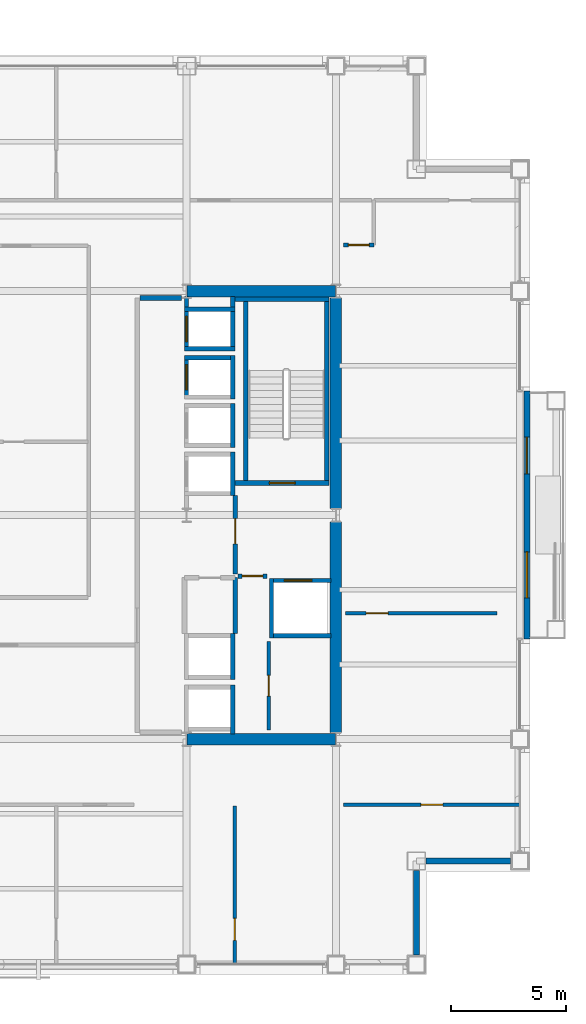
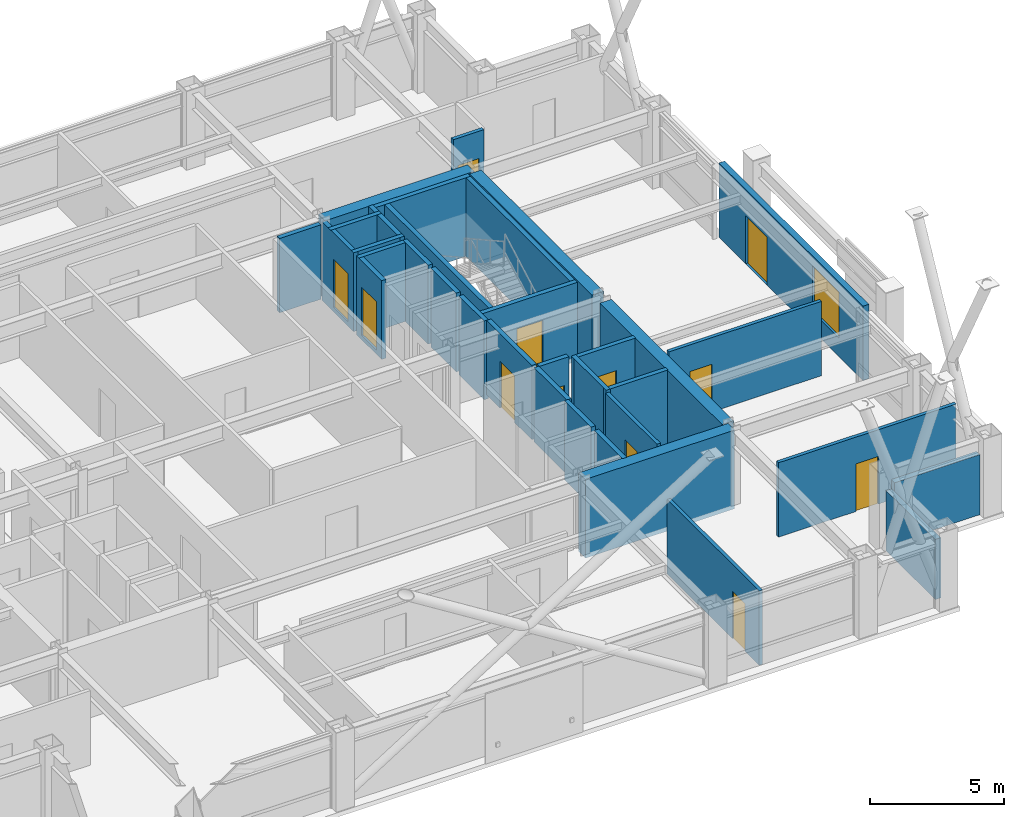
# One storey, part 29 of 33: 34 walls, 12 doors, 1 window, 13 openings.
"""IFC4 building model written with IfcOpenShell, lengths in metres."""

from ifc_helpers import new_model, si_unit, direction, frame, frame_2d, origin, place, context, subcontext, project, spatial, rectangle, extrude, material, layer, layer_set, type_object, element, fill, save


model = new_model("IFC4")

# Units and contexts
model_context = context("Model", 3, precision=1e-05, world=origin(), true_north=direction((0.0, 1.0)))
body_context = subcontext(model_context, "Body", "Model", "MODEL_VIEW")
ifc_project = project(units=[si_unit("LENGTHUNIT", "METRE"), si_unit("AREAUNIT", "SQUARE_METRE"), si_unit("VOLUMEUNIT", "CUBIC_METRE"), si_unit("PLANEANGLEUNIT", "RADIAN"), si_unit("MASSUNIT", "GRAM", prefix="KILO")], contexts=[model_context])

# Site, building, storey
site_placement = place(None, origin())
site = spatial("IfcSite", under=ifc_project, at=site_placement, CompositionType="ELEMENT")
building_placement = place(site_placement, origin())
building = spatial("IfcBuilding", under=site, at=building_placement, Name="Brelmoor Portico Tower", CompositionType="ELEMENT")
storey_placement = place(building_placement, frame((0.0, 0.0, 120.60009765625)))
storey = spatial("IfcBuildingStorey", under=building, at=storey_placement, Name="L31", CompositionType="ELEMENT", Elevation=120.60009765625)

# Walls
ifc_material_1 = material(Name="Concrete C60", Category="concrete")
ifc_layer_1 = layer(ifc_material_1, 0.5)
ifc_layer_set_1 = layer_set([ifc_layer_1], Name="Concrete C60")
wall_type_1 = type_object("IfcWallType", Name="WL-CORE-500", PredefinedType="SHEAR", material=ifc_layer_set_1)
for number, where, z_axis, x_axis, name in (
    (1, (8.070068359375, -9.75, -0.2001953125), (0.0, 0.0, 1.0), (1.0, 0.0, 0.0), "L31 EC South Shear Wall"),
    (2, (8.070068359375, 9.75, -0.2001953125), (0.0, 0.0, 1.0), (1.0, 0.0, 0.0), "L31 EC North Shear Wall"),
):
    element("IfcWall", number, at=place(storey_placement, frame(where, z_axis=z_axis, x_axis=x_axis)), inside=storey, type_object=wall_type_1, Name=name, PredefinedType="SHEAR", context=body_context, shape_type="SweptSolid", body=[
        extrude(rectangle(XDim=6.4599609375, YDim=0.5, at=frame_2d((3.22998046875, 0.0))), origin(), (0.0, 0.0, 1.0), 3.60009765625),
    ])
for number, where, z_axis, x_axis, name in (
    (3, (14.550048828125, -9.449951171875, -0.2001953125), (0.0, 0.0, 1.0), (0.0, 1.0, 0.0), "L31 EC Outer South Shear Wall"),
    (4, (14.550048828125, 0.300048828125, -0.2001953125), (0.0, 0.0, 1.0), (0.0, 1.0, 0.0), "L31 EC Outer North Shear Wall"),
):
    element("IfcWall", number, at=place(storey_placement, frame(where, z_axis=z_axis, x_axis=x_axis)), inside=storey, type_object=wall_type_1, Name=name, PredefinedType="SHEAR", context=body_context, shape_type="SweptSolid", body=[
        extrude(rectangle(XDim=9.14990234375, YDim=0.5, at=frame_2d((4.574951171875, 0.0))), origin(), (0.0, 0.0, 1.0), 3.60009765625),
    ])

# Wall, openings, door, window
ifc_material_2 = material(Name="Precast Concrete C40 Insulated Facade Wall", Category="concrete")
ifc_layer_2 = layer(ifc_material_2, 0.25)
ifc_layer_set_2 = layer_set([ifc_layer_2], Name="Precast Concrete C40 Insulated Facade Wall")
wall_type_2 = type_object("IfcWallType", Name="WL-EXT-250", PredefinedType="STANDARD", material=ifc_layer_set_2)
wall_1_placement = place(storey_placement, frame((22.860107421875, -5.39990234375, 0.0), z_axis=(0.0, 0.0, 1.0), x_axis=(0.0, 1.0, 0.0)))
wall_1 = element("IfcWall", 5, at=wall_1_placement, inside=storey, type_object=wall_type_2, Name="L31 Loggia Threshold Wall E-1", PredefinedType="STANDARD", context=body_context, shape_type="SweptSolid", body=[
    extrude(rectangle(XDim=10.7998046875, YDim=0.25, at=frame_2d((5.39990234375, 0.0))), origin(), (0.0, 0.0, 1.0), 3.39990234375),
])
opening_1_placement = place(wall_1_placement, frame((7.199951171875, 0.0, 0.0)))
opening_1 = element("IfcOpeningElement", 6, at=opening_1_placement, cuts=wall_1, Name="Opening D-TB1", PredefinedType="OPENING", context=body_context, shape_type="SweptSolid", body=[
    extrude(rectangle(XDim=1.60009765625, YDim=2.199951171875, at=frame_2d((0.800048828125, 1.10009765625))), frame((0.0, 0.135009765625, 0.0), z_axis=(0.0, -1.0, 0.0), x_axis=(1.0, 0.0, 0.0)), (0.0, 0.0, 1.0), 0.27001953125),
])
opening_2_placement = place(wall_1_placement, frame((1.800048828125, 0.0, 0.85009765625)))
opening_2 = element("IfcOpeningElement", 7, at=opening_2_placement, cuts=wall_1, Name="Opening W-03", PredefinedType="OPENING", context=body_context, shape_type="SweptSolid", body=[
    extrude(rectangle(XDim=2.0, YDim=2.10009765625, at=frame_2d((1.0, 1.050048828125))), frame((0.0, 0.135009765625, 0.0), z_axis=(0.0, -1.0, 0.0), x_axis=(1.0, 0.0, 0.0)), (0.0, 0.0, 1.0), 0.27001953125),
])
ifc_material_3 = material(Name="Double-Leaf Thermally Broken Terrace Door", Category="aluminium")
door_type_1 = type_object("IfcDoorType", Name="DR-BALCONY-1600", OperationType="NOTDEFINED", PredefinedType="DOOR", material=ifc_material_3)
door_1_placement = place(opening_1_placement, origin())
door_1 = element("IfcDoor", 8, at=door_1_placement, inside=storey, type_object=door_type_1, Name="D-1383 L31 Tree Balcony Double Door E", OperationType="DOUBLE_DOOR_SINGLE_SWING", OverallHeight=2.199951171875, OverallWidth=1.60009765625, PredefinedType="DOOR", context=body_context, shape_type="SweptSolid", body=[
    extrude(rectangle(XDim=1.60009765625, YDim=2.199951171875, at=frame_2d((0.800048828125, 1.10009765625))), frame((0.0, 0.02490234375, 0.0), z_axis=(0.0, -1.0, 0.0), x_axis=(1.0, 0.0, 0.0)), (0.0, 0.0, 1.0), 0.050048828125),
])
fill(opening_1, door_1)
ifc_material_4 = material(Name="Thermally Broken Aluminium Low-E Window", Category="aluminium")
window_type = type_object("IfcWindowType", Name="WN-LOGGIA-2000x2100", PartitioningType="SINGLE_PANEL", PredefinedType="WINDOW", material=ifc_material_4)
window_placement = place(opening_2_placement, origin())
window = element("IfcWindow", 9, at=window_placement, inside=storey, type_object=window_type, Name="L31 Loggia Window E", OverallHeight=2.10009765625, OverallWidth=2.0, PartitioningType="SINGLE_PANEL", PredefinedType="WINDOW", context=body_context, shape_type="SweptSolid", body=[
    extrude(rectangle(XDim=2.0, YDim=2.10009765625, at=frame_2d((1.0, 1.050048828125))), frame((0.0, 0.030029296875, 0.0), z_axis=(0.0, -1.0, 0.0), x_axis=(1.0, 0.0, 0.0)), (0.0, 0.0, 1.0), 0.06005859375),
])
fill(opening_2, window)

# Walls
for number, where, z_axis, x_axis, name in (
    (10, (18.4599609375, -15.050048828125, 0.0), (0.0, 0.0, 1.0), (1.0, 0.0, 0.0), "L31 Corner Notch Facade Wall NSEH1"),
    (11, (18.050048828125, -19.139892578125, 0.0), (0.0, 0.0, 1.0), (0.0, 1.0, 0.0), "L31 Corner Notch Facade Wall NSEV1"),
):
    element("IfcWall", number, at=place(storey_placement, frame(where, z_axis=z_axis, x_axis=x_axis)), inside=storey, type_object=wall_type_2, Name=name, PredefinedType="STANDARD", context=body_context, shape_type="SweptSolid", body=[
        extrude(rectangle(XDim=3.679931640625, YDim=0.25, at=frame_2d((1.83984375, 0.0))), origin(), (0.0, 0.0, 1.0), 2.75),
    ])

# Wall, opening, door
ifc_material_5 = material(Name="Wet-Area Moisture-Resistant Partition", Category="gypsum")
ifc_layer_3 = layer(ifc_material_5, 0.14990234375)
ifc_layer_set_3 = layer_set([ifc_layer_3], Name="Wet-Area Moisture-Resistant Partition")
wall_type_3 = type_object("IfcWallType", Name="WL-PART-150", PredefinedType="PARTITIONING", material=ifc_layer_set_3)
wall_2_placement = place(storey_placement, frame((10.14599609375, -19.56005859375, 0.0), z_axis=(0.0, 0.0, 1.0), x_axis=(0.0, 1.0, 0.0)))
wall_2 = element("IfcWall", 12, at=wall_2_placement, inside=storey, type_object=wall_type_3, Name="L31 South Suite Partition 3", PredefinedType="PARTITIONING", context=body_context, shape_type="SweptSolid", body=[
    extrude(rectangle(XDim=6.900146484375, YDim=0.14990234375, at=frame_2d((3.4501953125, 0.0))), origin(), (0.0, 0.0, 1.0), 3.39990234375),
])
opening_3_placement = place(wall_2_placement, frame((1.050048828125, 0.0, 0.0)))
opening_3 = element("IfcOpeningElement", 13, at=opening_3_placement, cuts=wall_2, Name="Opening D-IN2", PredefinedType="OPENING", context=body_context, shape_type="SweptSolid", body=[
    extrude(rectangle(XDim=0.9599609375, YDim=2.179931640625, at=frame_2d((0.47998046875, 1.08984375))), frame((0.0, 0.0849609375, 0.0), z_axis=(0.0, -1.0, 0.0), x_axis=(1.0, 0.0, 0.0)), (0.0, 0.0, 1.0), 0.169921875),
])
ifc_material_6 = material(Name="Lacquered Timber Suite Door", Category="wood")
door_type_2 = type_object("IfcDoorType", Name="DR-INT-950", OperationType="NOTDEFINED", PredefinedType="DOOR", material=ifc_material_6)
door_2_placement = place(opening_3_placement, origin())
door_2 = element("IfcDoor", 14, at=door_2_placement, inside=storey, type_object=door_type_2, Name="D-1378 L31 South Suite Connecting Door 3", OperationType="SINGLE_SWING_RIGHT", OverallHeight=2.179931640625, OverallWidth=0.9599609375, PredefinedType="DOOR", context=body_context, shape_type="SweptSolid", body=[
    extrude(rectangle(XDim=0.9599609375, YDim=2.179931640625, at=frame_2d((0.47998046875, 1.08984375))), frame((0.0, 0.02490234375, 0.0), z_axis=(0.0, -1.0, 0.0), x_axis=(1.0, 0.0, 0.0)), (0.0, 0.0, 1.0), 0.050048828125),
])
fill(opening_3, door_2)

wall_3_placement = place(storey_placement, frame((14.8798828125, -12.60009765625, 0.0), z_axis=(0.0, 0.0, 1.0), x_axis=(1.0, 0.0, 0.0)))
wall_3 = element("IfcWall", 15, at=wall_3_placement, inside=storey, type_object=wall_type_3, Name="L31 South Wing Closure ER", PredefinedType="PARTITIONING", context=body_context, shape_type="SweptSolid", body=[
    extrude(rectangle(XDim=7.68017578125, YDim=0.14990234375, at=frame_2d((3.840087890625, 0.0))), origin(), (0.0, 0.0, 1.0), 3.39990234375),
])
opening_4_placement = place(wall_3_placement, frame((3.360107421875, 0.0, 0.0)))
opening_4 = element("IfcOpeningElement", 16, at=opening_4_placement, cuts=wall_3, Name="Opening D-IN2", PredefinedType="OPENING", context=body_context, shape_type="SweptSolid", body=[
    extrude(rectangle(XDim=0.9599609375, YDim=2.179931640625, at=frame_2d((0.47998046875, 1.08984375))), frame((0.0, 0.0849609375, 0.0), z_axis=(0.0, -1.0, 0.0), x_axis=(1.0, 0.0, 0.0)), (0.0, 0.0, 1.0), 0.169921875),
])
door_3_placement = place(opening_4_placement, origin())
door_3 = element("IfcDoor", 17, at=door_3_placement, inside=storey, type_object=door_type_2, Name="D-1381 L31 ER Wing South Suite Door", OperationType="SINGLE_SWING_RIGHT", OverallHeight=2.179931640625, OverallWidth=0.9599609375, PredefinedType="DOOR", context=body_context, shape_type="SweptSolid", body=[
    extrude(rectangle(XDim=0.9599609375, YDim=2.179931640625, at=frame_2d((0.47998046875, 1.08984375))), frame((0.0, 0.02490234375, 0.0), z_axis=(0.0, -1.0, 0.0), x_axis=(1.0, 0.0, 0.0)), (0.0, 0.0, 1.0), 0.050048828125),
])
fill(opening_4, door_3)

wall_4_placement = place(storey_placement, frame((14.9599609375, -4.27490234375, 0.0), z_axis=(0.0, 0.0, 1.0), x_axis=(1.0, 0.0, 0.0)))
wall_4 = element("IfcWall", 18, at=wall_4_placement, inside=storey, type_object=wall_type_3, Name="L31 E Wing Partition 1", PredefinedType="PARTITIONING", context=body_context, shape_type="SweptSolid", body=[
    extrude(rectangle(XDim=6.590087890625, YDim=0.14990234375, at=frame_2d((3.294921875, 0.0))), origin(), (0.0, 0.0, 1.0), 3.39990234375),
])
opening_5_placement = place(wall_4_placement, frame((0.89990234375, 0.0, 0.0)))
opening_5 = element("IfcOpeningElement", 19, at=opening_5_placement, cuts=wall_4, Name="Opening D-IN2", PredefinedType="OPENING", context=body_context, shape_type="SweptSolid", body=[
    extrude(rectangle(XDim=0.9599609375, YDim=2.179931640625, at=frame_2d((0.47998046875, 1.08984375))), frame((0.0, 0.0849609375, 0.0), z_axis=(0.0, -1.0, 0.0), x_axis=(1.0, 0.0, 0.0)), (0.0, 0.0, 1.0), 0.169921875),
])
door_4_placement = place(opening_5_placement, origin())
door_4 = element("IfcDoor", 20, at=door_4_placement, inside=storey, type_object=door_type_2, Name="D-1385 L31 E Wing Suite Connecting Door 1", OperationType="SINGLE_SWING_LEFT", OverallHeight=2.179931640625, OverallWidth=0.9599609375, PredefinedType="DOOR", context=body_context, shape_type="SweptSolid", body=[
    extrude(rectangle(XDim=0.9599609375, YDim=2.179931640625, at=frame_2d((0.47998046875, 1.08984375))), frame((0.0, 0.02490234375, 0.0), z_axis=(0.0, -1.0, 0.0), x_axis=(1.0, 0.0, 0.0)), (0.0, 0.0, 1.0), 0.050048828125),
])
fill(opening_5, door_4)

ifc_material_7 = material(Name="Twin-Frame Acoustic Partition", Category="gypsum")
ifc_layer_4 = layer(ifc_material_7, 0.159912109375)
ifc_layer_set_4 = layer_set([ifc_layer_4], Name="Twin-Frame Acoustic Partition")
wall_type_4 = type_object("IfcWallType", Name="WL-PART-160", PredefinedType="PARTITIONING", material=ifc_layer_set_4)
wall_5_placement = place(storey_placement, frame((11.6201171875, -9.35009765625, 0.0), z_axis=(0.0, 0.0, 1.0), x_axis=(0.0, 1.0, 0.0)))
wall_5 = element("IfcWall", 21, at=wall_5_placement, inside=storey, type_object=wall_type_4, Name="L31 E Core Service Front Wall", PredefinedType="PARTITIONING", context=body_context, shape_type="SweptSolid", body=[
    extrude(rectangle(XDim=3.85009765625, YDim=0.159912109375, at=frame_2d((1.925048828125, 0.0))), origin(), (0.0, 0.0, 1.0), 3.39990234375),
])
opening_6_placement = place(wall_5_placement, frame((1.47509765625, 0.0, 0.0)))
opening_6 = element("IfcOpeningElement", 22, at=opening_6_placement, cuts=wall_5, Name="Opening D-IN1", PredefinedType="OPENING", context=body_context, shape_type="SweptSolid", body=[
    extrude(rectangle(XDim=0.89990234375, YDim=2.14990234375, at=frame_2d((0.449951171875, 1.074951171875))), frame((0.0, 0.08984375, 0.0), z_axis=(0.0, -1.0, 0.0), x_axis=(1.0, 0.0, 0.0)), (0.0, 0.0, 1.0), 0.179931640625),
])
door_type_3 = type_object("IfcDoorType", Name="DR-INT-900", OperationType="NOTDEFINED", PredefinedType="DOOR", material=ifc_material_6)
door_5_placement = place(opening_6_placement, origin())
door_5 = element("IfcDoor", 23, at=door_5_placement, inside=storey, type_object=door_type_3, Name="D-1356 L31 E Male WC Door", OperationType="SINGLE_SWING_RIGHT", OverallHeight=2.14990234375, OverallWidth=0.89990234375, PredefinedType="DOOR", context=body_context, shape_type="SweptSolid", body=[
    extrude(rectangle(XDim=0.89990234375, YDim=2.14990234375, at=frame_2d((0.449951171875, 1.074951171875))), frame((0.0, 0.02490234375, 0.0), z_axis=(0.0, -1.0, 0.0), x_axis=(1.0, 0.0, 0.0)), (0.0, 0.0, 1.0), 0.050048828125),
])
fill(opening_6, door_5)

wall_6_placement = place(storey_placement, frame((14.8798828125, 11.760009765625, 0.0), z_axis=(0.0, 0.0, 1.0), x_axis=(1.0, 0.0, 0.0)))
wall_6 = element("IfcWall", 24, at=wall_6_placement, inside=storey, type_object=wall_type_4, Name="L31 E Wing North Entry Wall", PredefinedType="PARTITIONING", context=body_context, shape_type="SweptSolid", body=[
    extrude(rectangle(XDim=1.320068359375, YDim=0.159912109375, at=frame_2d((0.66015625, 0.0))), origin(), (0.0, 0.0, 1.0), 3.39990234375),
])
opening_7_placement = place(wall_6_placement, frame((0.2099609375, 0.0, 0.0)))
opening_7 = element("IfcOpeningElement", 25, at=opening_7_placement, cuts=wall_6, Name="Opening D-IN1", PredefinedType="OPENING", context=body_context, shape_type="SweptSolid", body=[
    extrude(rectangle(XDim=0.89990234375, YDim=2.14990234375, at=frame_2d((0.449951171875, 1.074951171875))), frame((0.0, 0.08984375, 0.0), z_axis=(0.0, -1.0, 0.0), x_axis=(1.0, 0.0, 0.0)), (0.0, 0.0, 1.0), 0.179931640625),
])
door_6_placement = place(opening_7_placement, origin())
door_6 = element("IfcDoor", 26, at=door_6_placement, inside=storey, type_object=door_type_3, Name="D-1386 L31 E Wing Entry Door", OperationType="SINGLE_SWING_RIGHT", OverallHeight=2.14990234375, OverallWidth=0.89990234375, PredefinedType="DOOR", context=body_context, shape_type="SweptSolid", body=[
    extrude(rectangle(XDim=0.89990234375, YDim=2.14990234375, at=frame_2d((0.449951171875, 1.074951171875))), frame((0.0, 0.02490234375, 0.0), z_axis=(0.0, -1.0, 0.0), x_axis=(1.0, 0.0, 0.0)), (0.0, 0.0, 1.0), 0.050048828125),
])
fill(opening_7, door_6)

# Wall
ifc_material_8 = material(Name="Double-Stud Gypsum Fire Partition", Category="gypsum")
ifc_layer_5 = layer(ifc_material_8, 0.199951171875)
ifc_layer_set_5 = layer_set([ifc_layer_5], Name="Double-Stud Gypsum Fire Partition")
wall_type_5 = type_object("IfcWallType", Name="WL-PART-200", PredefinedType="PARTITIONING", material=ifc_layer_set_5)
wall_7_placement = place(storey_placement, frame((6.02001953125, 9.449951171875, 0.0), z_axis=(0.0, 0.0, 1.0), x_axis=(1.0, 0.0, 0.0)))
element("IfcWall", 27, at=wall_7_placement, inside=storey, type_object=wall_type_5, Name="L31 E Lift Lobby North End Wall", PredefinedType="PARTITIONING", context=body_context, shape_type="SweptSolid", body=[
    extrude(rectangle(XDim=1.800048828125, YDim=0.199951171875, at=frame_2d((0.89990234375, 0.0))), origin(), (0.0, 0.0, 1.0), 3.39990234375),
])

# Wall, opening, door
wall_8_placement = place(storey_placement, frame((10.159912109375, -2.550048828125, 0.0), z_axis=(0.0, 0.0, 1.0), x_axis=(0.0, 1.0, 0.0)))
wall_8 = element("IfcWall", 28, at=wall_8_placement, inside=storey, type_object=wall_type_5, Name="L31 E Firefighting Lobby Wall", PredefinedType="PARTITIONING", context=body_context, shape_type="SweptSolid", body=[
    extrude(rectangle(XDim=3.400146484375, YDim=0.199951171875, at=frame_2d((1.7001953125, 0.0))), origin(), (0.0, 0.0, 1.0), 3.39990234375),
])
opening_8_placement = place(wall_8_placement, frame((1.300048828125, 0.0, 0.0)))
opening_8 = element("IfcOpeningElement", 29, at=opening_8_placement, cuts=wall_8, Name="Opening D-FR1", PredefinedType="OPENING", context=body_context, shape_type="SweptSolid", body=[
    extrude(rectangle(XDim=1.10009765625, YDim=2.14990234375, at=frame_2d((0.550048828125, 1.074951171875))), frame((0.0, 0.10986328125, 0.0), z_axis=(0.0, -1.0, 0.0), x_axis=(1.0, 0.0, 0.0)), (0.0, 0.0, 1.0), 0.219970703125),
])
ifc_material_9 = material(Name="Painted Galvanised Steel Fire Door", Category="steel")
door_type_4 = type_object("IfcDoorType", Name="DR-FIRE-1100", OperationType="NOTDEFINED", PredefinedType="DOOR", material=ifc_material_9)
door_7_placement = place(opening_8_placement, origin())
door_7 = element("IfcDoor", 30, at=door_7_placement, inside=storey, type_object=door_type_4, Name="D-1362 L31 E Firefighting Lobby Door", OperationType="SINGLE_SWING_LEFT", OverallHeight=2.14990234375, OverallWidth=1.10009765625, PredefinedType="DOOR", context=body_context, shape_type="SweptSolid", body=[
    extrude(rectangle(XDim=1.10009765625, YDim=2.14990234375, at=frame_2d((0.550048828125, 1.074951171875))), frame((0.0, 0.02490234375, 0.0), z_axis=(0.0, -1.0, 0.0), x_axis=(1.0, 0.0, 0.0)), (0.0, 0.0, 1.0), 0.050048828125),
])
fill(opening_8, door_7)

wall_9_placement = place(storey_placement, frame((10.280029296875, -2.64990234375, 0.0), z_axis=(0.0, 0.0, 1.0), x_axis=(1.0, 0.0, 0.0)))
wall_9 = element("IfcWall", 31, at=wall_9_placement, inside=storey, type_object=wall_type_5, Name="L31 E Firefighting Lobby South Wall", PredefinedType="PARTITIONING", context=body_context, shape_type="SweptSolid", body=[
    extrude(rectangle(XDim=1.27001953125, YDim=0.199951171875, at=frame_2d((0.635009765625, 0.0))), origin(), (0.0, 0.0, 1.0), 3.39990234375),
])
opening_9_placement = place(wall_9_placement, frame((0.18505859375, 0.0, 0.0)))
opening_9 = element("IfcOpeningElement", 32, at=opening_9_placement, cuts=wall_9, Name="Opening D-IN1", PredefinedType="OPENING", context=body_context, shape_type="SweptSolid", body=[
    extrude(rectangle(XDim=0.89990234375, YDim=2.14990234375, at=frame_2d((0.449951171875, 1.074951171875))), frame((0.0, 0.10986328125, 0.0), z_axis=(0.0, -1.0, 0.0), x_axis=(1.0, 0.0, 0.0)), (0.0, 0.0, 1.0), 0.219970703125),
])
door_8_placement = place(opening_9_placement, origin())
door_8 = element("IfcDoor", 33, at=door_8_placement, inside=storey, type_object=door_type_3, Name="D-1357 L31 E Core Service Vestibule Door", OperationType="SINGLE_SWING_RIGHT", OverallHeight=2.14990234375, OverallWidth=0.89990234375, PredefinedType="DOOR", context=body_context, shape_type="SweptSolid", body=[
    extrude(rectangle(XDim=0.89990234375, YDim=2.14990234375, at=frame_2d((0.449951171875, 1.074951171875))), frame((0.0, 0.02490234375, 0.0), z_axis=(0.0, -1.0, 0.0), x_axis=(1.0, 0.0, 0.0)), (0.0, 0.0, 1.0), 0.050048828125),
])
fill(opening_9, door_8)

# Walls
wall_10_placement = place(storey_placement, frame((10.159912109375, -5.159912109375, 0.0), z_axis=(0.0, 0.0, 1.0), x_axis=(0.0, 1.0, 0.0)))
element("IfcWall", 34, at=wall_10_placement, inside=storey, type_object=wall_type_5, Name="L31 E Electrical Switchgear Closet Outer Wall", PredefinedType="PARTITIONING", context=body_context, shape_type="SweptSolid", body=[
    extrude(rectangle(XDim=2.43994140625, YDim=0.199951171875, at=frame_2d((1.219970703125, 0.0))), origin(), (0.0, 0.0, 1.0), 3.39990234375),
])
ifc_material_10 = material(Name="Precast Concrete C40", Category="concrete")
ifc_layer_6 = layer(ifc_material_10, 0.18994140625)
ifc_layer_set_6 = layer_set([ifc_layer_6], Name="Precast Concrete C40")
wall_type_6 = type_object("IfcWallType", Name="WL-SHAFT-180", PredefinedType="SOLIDWALL", material=ifc_layer_set_6)
wall_11_placement = place(storey_placement, frame((10.054931640625, 0.85009765625, -0.2001953125), z_axis=(0.0, 0.0, 1.0), x_axis=(0.0, 1.0, 0.0)))
element("IfcWall", 35, at=wall_11_placement, inside=storey, type_object=wall_type_6, Name="L31 Lift PM1 Hoistway Back Wall", PredefinedType="SOLIDWALL", context=body_context, shape_type="SweptSolid", body=[
    extrude(rectangle(XDim=1.89990234375, YDim=0.18994140625, at=frame_2d((0.949951171875, 0.0))), origin(), (0.0, 0.0, 1.0), 3.60009765625),
])
wall_12_placement = place(storey_placement, frame((10.054931640625, 2.949951171875, -0.2001953125), z_axis=(0.0, 0.0, 1.0), x_axis=(0.0, 1.0, 0.0)))
element("IfcWall", 36, at=wall_12_placement, inside=storey, type_object=wall_type_6, Name="L31 Lift PM2 Hoistway Back Wall", PredefinedType="SOLIDWALL", context=body_context, shape_type="SweptSolid", body=[
    extrude(rectangle(XDim=1.900146484375, YDim=0.18994140625, at=frame_2d((0.9501953125, 0.0))), origin(), (0.0, 0.0, 1.0), 3.60009765625),
])

# Wall, opening, door
wall_13_placement = place(storey_placement, frame((8.044921875, 5.050048828125, -0.2001953125), z_axis=(0.0, 0.0, 1.0), x_axis=(0.0, 1.0, 0.0)))
wall_13 = element("IfcWall", 37, at=wall_13_placement, inside=storey, type_object=wall_type_6, Name="L31 Lift PM3 Hoistway Front Wall", PredefinedType="SOLIDWALL", context=body_context, shape_type="SweptSolid", body=[
    extrude(rectangle(XDim=1.89990234375, YDim=0.18994140625, at=frame_2d((0.949951171875, 0.0))), origin(), (0.0, 0.0, 1.0), 3.60009765625),
])
opening_10_placement = place(wall_13_placement, frame((0.39990234375, 0.0, 0.199951171875)))
opening_10 = element("IfcOpeningElement", 38, at=opening_10_placement, cuts=wall_13, Name="Opening LD-01", PredefinedType="OPENING", context=body_context, shape_type="SweptSolid", body=[
    extrude(rectangle(XDim=1.10009765625, YDim=2.199951171875, at=frame_2d((0.550048828125, 1.10009765625))), frame((0.0, 0.10498046875, 0.0), z_axis=(0.0, -1.0, 0.0), x_axis=(1.0, 0.0, 0.0)), (0.0, 0.0, 1.0), 0.2099609375),
])
ifc_material_11 = material(Name="Brushed Stainless Steel Sliding Lift Door", Category="steel")
door_type_5 = type_object("IfcDoorType", Name="DR-LIFT-1100", OperationType="NOTDEFINED", PredefinedType="DOOR", material=ifc_material_11)
door_9_placement = place(opening_10_placement, origin())
door_9 = element("IfcDoor", 39, at=door_9_placement, inside=storey, type_object=door_type_5, Name="D-1394 L31 Lift PM3 Sliding Landing Door", OperationType="SLIDING_TO_LEFT", OverallHeight=2.199951171875, OverallWidth=1.10009765625, PredefinedType="DOOR", context=body_context, shape_type="SweptSolid", body=[
    extrude(rectangle(XDim=1.10009765625, YDim=2.199951171875, at=frame_2d((0.550048828125, 1.10009765625))), frame((0.0, 0.02490234375, 0.0), z_axis=(0.0, -1.0, 0.0), x_axis=(1.0, 0.0, 0.0)), (0.0, 0.0, 1.0), 0.050048828125),
])
fill(opening_10, door_9)

# Walls
wall_14_placement = place(storey_placement, frame((10.054931640625, 5.050048828125, -0.2001953125), z_axis=(0.0, 0.0, 1.0), x_axis=(0.0, 1.0, 0.0)))
element("IfcWall", 40, at=wall_14_placement, inside=storey, type_object=wall_type_6, Name="L31 Lift PM3 Hoistway Back Wall", PredefinedType="SOLIDWALL", context=body_context, shape_type="SweptSolid", body=[
    extrude(rectangle(XDim=1.89990234375, YDim=0.18994140625, at=frame_2d((0.949951171875, 0.0))), origin(), (0.0, 0.0, 1.0), 3.60009765625),
])
wall_15_placement = place(storey_placement, frame((7.949951171875, 6.85498046875, -0.2001953125), z_axis=(0.0, 0.0, 1.0), x_axis=(1.0, 0.0, 0.0)))
element("IfcWall", 41, at=wall_15_placement, inside=storey, type_object=wall_type_6, Name="L31 Lift PM3 Hoistway North Wall", PredefinedType="SOLIDWALL", context=body_context, shape_type="SweptSolid", body=[
    extrude(rectangle(XDim=2.199951171875, YDim=0.18994140625, at=frame_2d((1.10009765625, 0.0))), origin(), (0.0, 0.0, 1.0), 3.60009765625),
])

# Wall, opening, door
wall_16_placement = place(storey_placement, frame((8.044921875, 7.14990234375, -0.2001953125), z_axis=(0.0, 0.0, 1.0), x_axis=(0.0, 1.0, 0.0)))
wall_16 = element("IfcWall", 42, at=wall_16_placement, inside=storey, type_object=wall_type_6, Name="L31 Lift PM4 Hoistway Front Wall", PredefinedType="SOLIDWALL", context=body_context, shape_type="SweptSolid", body=[
    extrude(rectangle(XDim=2.3701171875, YDim=0.18994140625, at=frame_2d((1.18505859375, 0.0))), origin(), (0.0, 0.0, 1.0), 3.60009765625),
])
opening_11_placement = place(wall_16_placement, frame((0.39990234375, 0.0, 0.199951171875)))
opening_11 = element("IfcOpeningElement", 43, at=opening_11_placement, cuts=wall_16, Name="Opening LD-01", PredefinedType="OPENING", context=body_context, shape_type="SweptSolid", body=[
    extrude(rectangle(XDim=1.10009765625, YDim=2.199951171875, at=frame_2d((0.550048828125, 1.10009765625))), frame((0.0, 0.10498046875, 0.0), z_axis=(0.0, -1.0, 0.0), x_axis=(1.0, 0.0, 0.0)), (0.0, 0.0, 1.0), 0.2099609375),
])
door_10_placement = place(opening_11_placement, origin())
door_10 = element("IfcDoor", 44, at=door_10_placement, inside=storey, type_object=door_type_5, Name="D-1395 L31 Lift PM4 Sliding Landing Door", OperationType="SLIDING_TO_LEFT", OverallHeight=2.199951171875, OverallWidth=1.10009765625, PredefinedType="DOOR", context=body_context, shape_type="SweptSolid", body=[
    extrude(rectangle(XDim=1.10009765625, YDim=2.199951171875, at=frame_2d((0.550048828125, 1.10009765625))), frame((0.0, 0.02490234375, 0.0), z_axis=(0.0, -1.0, 0.0), x_axis=(1.0, 0.0, 0.0)), (0.0, 0.0, 1.0), 0.050048828125),
])
fill(opening_11, door_10)

# Walls
wall_17_placement = place(storey_placement, frame((10.054931640625, 7.14990234375, -0.2001953125), z_axis=(0.0, 0.0, 1.0), x_axis=(0.0, 1.0, 0.0)))
element("IfcWall", 45, at=wall_17_placement, inside=storey, type_object=wall_type_6, Name="L31 Lift PM4 Hoistway Back Wall", PredefinedType="SOLIDWALL", context=body_context, shape_type="SweptSolid", body=[
    extrude(rectangle(XDim=2.3701171875, YDim=0.18994140625, at=frame_2d((1.18505859375, 0.0))), origin(), (0.0, 0.0, 1.0), 3.60009765625),
])
for number, where, z_axis, x_axis, name in (
    (46, (7.949951171875, 8.955078125, -0.2001953125), (0.0, 0.0, 1.0), (1.0, 0.0, 0.0), "L31 Lift PM4 Hoistway North Wall"),
    (47, (7.949951171875, 7.2451171875, -0.2001953125), (0.0, 0.0, 1.0), (1.0, 0.0, 0.0), "L31 Lift PM4 Hoistway South Wall"),
):
    element("IfcWall", number, at=place(storey_placement, frame(where, z_axis=z_axis, x_axis=x_axis)), inside=storey, type_object=wall_type_6, Name=name, PredefinedType="SOLIDWALL", context=body_context, shape_type="SweptSolid", body=[
        extrude(rectangle(XDim=2.199951171875, YDim=0.18994140625, at=frame_2d((1.10009765625, 0.0))), origin(), (0.0, 0.0, 1.0), 3.60009765625),
    ])
wall_18_placement = place(storey_placement, frame((10.054931640625, -9.52001953125, -0.2001953125), z_axis=(0.0, 0.0, 1.0), x_axis=(0.0, 1.0, 0.0)))
element("IfcWall", 48, at=wall_18_placement, inside=storey, type_object=wall_type_6, Name="L31 Lift PH3 Hoistway Back Wall", PredefinedType="SOLIDWALL", context=body_context, shape_type="SweptSolid", body=[
    extrude(rectangle(XDim=2.1201171875, YDim=0.18994140625, at=frame_2d((1.06005859375, 0.0))), origin(), (0.0, 0.0, 1.0), 3.60009765625),
])
wall_19_placement = place(storey_placement, frame((10.054931640625, -7.14990234375, -0.2001953125), z_axis=(0.0, 0.0, 1.0), x_axis=(0.0, 1.0, 0.0)))
element("IfcWall", 49, at=wall_19_placement, inside=storey, type_object=wall_type_6, Name="L31 Lift PH4 Hoistway Back Wall", PredefinedType="SOLIDWALL", context=body_context, shape_type="SweptSolid", body=[
    extrude(rectangle(XDim=2.0, YDim=0.18994140625, at=frame_2d((1.0, 0.0))), origin(), (0.0, 0.0, 1.0), 3.60009765625),
])

# Wall, opening, door
wall_20_placement = place(storey_placement, frame((11.64990234375, -2.844970703125, -0.2001953125), z_axis=(0.0, 0.0, 1.0), x_axis=(1.0, 0.0, 0.0)))
wall_20 = element("IfcWall", 50, at=wall_20_placement, inside=storey, type_object=wall_type_6, Name="L31 Lift FF2 Hoistway Front Wall", PredefinedType="SOLIDWALL", context=body_context, shape_type="SweptSolid", body=[
    extrude(rectangle(XDim=2.68017578125, YDim=0.18994140625, at=frame_2d((1.340087890625, 0.0))), origin(), (0.0, 0.0, 1.0), 3.60009765625),
])
opening_12_placement = place(wall_20_placement, frame((0.64990234375, 0.0, 0.199951171875)))
opening_12 = element("IfcOpeningElement", 51, at=opening_12_placement, cuts=wall_20, Name="Opening LD-02", PredefinedType="OPENING", context=body_context, shape_type="SweptSolid", body=[
    extrude(rectangle(XDim=1.199951171875, YDim=2.199951171875, at=frame_2d((0.60009765625, 1.10009765625))), frame((0.0, 0.10498046875, 0.0), z_axis=(0.0, -1.0, 0.0), x_axis=(1.0, 0.0, 0.0)), (0.0, 0.0, 1.0), 0.2099609375),
])
ifc_material_12 = material(Name="Brushed Stainless Steel Firefighting Lift Door", Category="steel")
door_type_6 = type_object("IfcDoorType", Name="DR-LIFT-1200", OperationType="NOTDEFINED", PredefinedType="DOOR", material=ifc_material_12)
door_11_placement = place(opening_12_placement, origin())
door_11 = element("IfcDoor", 52, at=door_11_placement, inside=storey, type_object=door_type_6, Name="D-1391 L31 Lift FF2 Sliding Landing Door", OperationType="SLIDING_TO_LEFT", OverallHeight=2.199951171875, OverallWidth=1.199951171875, PredefinedType="DOOR", context=body_context, shape_type="SweptSolid", body=[
    extrude(rectangle(XDim=1.199951171875, YDim=2.199951171875, at=frame_2d((0.60009765625, 1.10009765625))), frame((0.0, 0.02490234375, 0.0), z_axis=(0.0, -1.0, 0.0), x_axis=(1.0, 0.0, 0.0)), (0.0, 0.0, 1.0), 0.050048828125),
])
fill(opening_12, door_11)

# Walls
wall_21_placement = place(storey_placement, frame((11.64990234375, -5.2548828125, -0.2001953125), z_axis=(0.0, 0.0, 1.0), x_axis=(1.0, 0.0, 0.0)))
element("IfcWall", 53, at=wall_21_placement, inside=storey, type_object=wall_type_6, Name="L31 Firefighting Lift FF2 South Wall", PredefinedType="SOLIDWALL", context=body_context, shape_type="SweptSolid", body=[
    extrude(rectangle(XDim=2.68017578125, YDim=0.18994140625, at=frame_2d((1.340087890625, 0.0))), origin(), (0.0, 0.0, 1.0), 3.60009765625),
])
wall_22_placement = place(storey_placement, frame((11.7451171875, -5.35009765625, -0.2001953125), z_axis=(0.0, 0.0, 1.0), x_axis=(0.0, 1.0, 0.0)))
element("IfcWall", 54, at=wall_22_placement, inside=storey, type_object=wall_type_6, Name="L31 Firefighting Lift FF2 Inner Wall", PredefinedType="SOLIDWALL", context=body_context, shape_type="SweptSolid", body=[
    extrude(rectangle(XDim=2.60009765625, YDim=0.18994140625, at=frame_2d((1.300048828125, 0.0))), origin(), (0.0, 0.0, 1.0), 3.60009765625),
])
ifc_material_13 = material(Name="Concrete C40", Category="concrete")
ifc_layer_7 = layer(ifc_material_13, 0.199951171875)
ifc_layer_set_7 = layer_set([ifc_layer_7], Name="Concrete C40")
wall_type_7 = type_object("IfcWallType", Name="WL-SHAFT-RC200", PredefinedType="SOLIDWALL", material=ifc_layer_set_7)
wall_23_placement = place(storey_placement, frame((14.14990234375, 1.5, -0.2001953125), z_axis=(0.0, 0.0, 1.0), x_axis=(0.0, 1.0, 0.0)))
element("IfcWall", 55, at=wall_23_placement, inside=storey, type_object=wall_type_7, Name="L31 ST-E Structural Stair Wall Outer", PredefinedType="SOLIDWALL", context=body_context, shape_type="SweptSolid", body=[
    extrude(rectangle(XDim=7.800048828125, YDim=0.199951171875, at=frame_2d((3.89990234375, 0.0))), origin(), (0.0, 0.0, 1.0), 3.60009765625),
])

# Wall, opening, door
wall_24_placement = place(storey_placement, frame((10.14990234375, 1.39990234375, -0.2001953125), z_axis=(0.0, 0.0, 1.0), x_axis=(1.0, 0.0, 0.0)))
wall_24 = element("IfcWall", 56, at=wall_24_placement, inside=storey, type_object=wall_type_7, Name="L31 ST-E Structural Stair Wall S", PredefinedType="SOLIDWALL", context=body_context, shape_type="SweptSolid", body=[
    extrude(rectangle(XDim=4.10009765625, YDim=0.199951171875, at=frame_2d((2.050048828125, 0.0))), origin(), (0.0, 0.0, 1.0), 3.60009765625),
])
opening_13_placement = place(wall_24_placement, frame((1.5, 0.0, 0.199951171875)))
opening_13 = element("IfcOpeningElement", 57, at=opening_13_placement, cuts=wall_24, Name="Opening D-ST1", PredefinedType="OPENING", context=body_context, shape_type="SweptSolid", body=[
    extrude(rectangle(XDim=1.1201171875, YDim=2.179931640625, at=frame_2d((0.56005859375, 1.08984375))), frame((0.0, 0.10986328125, 0.0), z_axis=(0.0, -1.0, 0.0), x_axis=(1.0, 0.0, 0.0)), (0.0, 0.0, 1.0), 0.219970703125),
])
door_type_7 = type_object("IfcDoorType", Name="DR-STAIR-1100", OperationType="NOTDEFINED", PredefinedType="DOOR", material=ifc_material_9)
door_12_placement = place(opening_13_placement, origin())
door_12 = element("IfcDoor", 58, at=door_12_placement, inside=storey, type_object=door_type_7, Name="D-1379 L31 ST-E Protected Exit Stair Door", OperationType="SINGLE_SWING_RIGHT", OverallHeight=2.179931640625, OverallWidth=1.1201171875, PredefinedType="DOOR", context=body_context, shape_type="SweptSolid", body=[
    extrude(rectangle(XDim=1.1201171875, YDim=2.179931640625, at=frame_2d((0.56005859375, 1.08984375))), frame((0.0, 0.02490234375, 0.0), z_axis=(0.0, -1.0, 0.0), x_axis=(1.0, 0.0, 0.0)), (0.0, 0.0, 1.0), 0.050048828125),
])
fill(opening_13, door_12)

# Walls
wall_25_placement = place(storey_placement, frame((10.14990234375, 9.39990234375, -0.2001953125), z_axis=(0.0, 0.0, 1.0), x_axis=(1.0, 0.0, 0.0)))
element("IfcWall", 59, at=wall_25_placement, inside=storey, type_object=wall_type_7, Name="L31 ST-E Structural Stair Wall N", PredefinedType="SOLIDWALL", context=body_context, shape_type="SweptSolid", body=[
    extrude(rectangle(XDim=4.10009765625, YDim=0.199951171875, at=frame_2d((2.050048828125, 0.0))), origin(), (0.0, 0.0, 1.0), 3.60009765625),
])
wall_26_placement = place(storey_placement, frame((10.6298828125, 1.5, -0.2001953125), z_axis=(0.0, 0.0, 1.0), x_axis=(0.0, 1.0, 0.0)))
element("IfcWall", 60, at=wall_26_placement, inside=storey, type_object=wall_type_7, Name="L31 ST-E Structural Stair Wall Inner", PredefinedType="SOLIDWALL", context=body_context, shape_type="SweptSolid", body=[
    extrude(rectangle(XDim=7.800048828125, YDim=0.199951171875, at=frame_2d((3.89990234375, 0.0))), origin(), (0.0, 0.0, 1.0), 3.60009765625),
])

save(model, "model.ifc")
